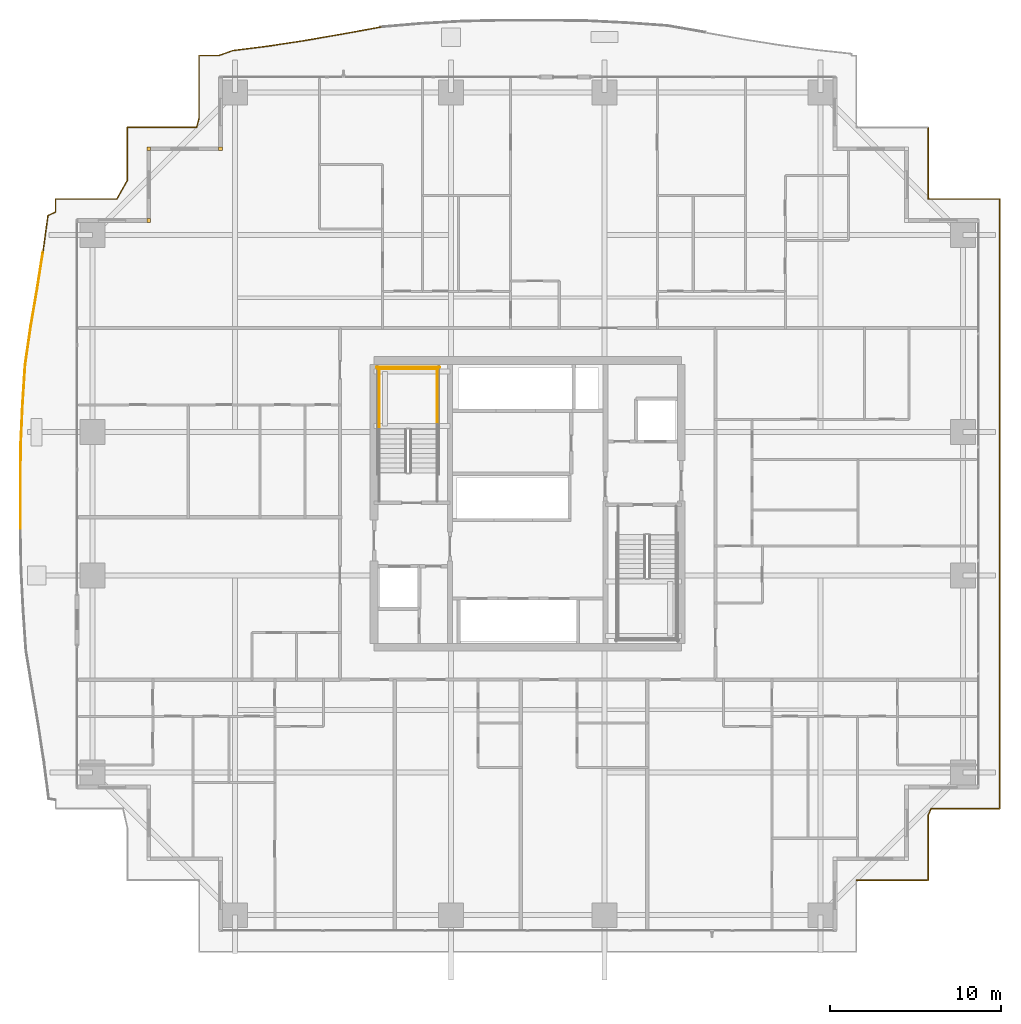
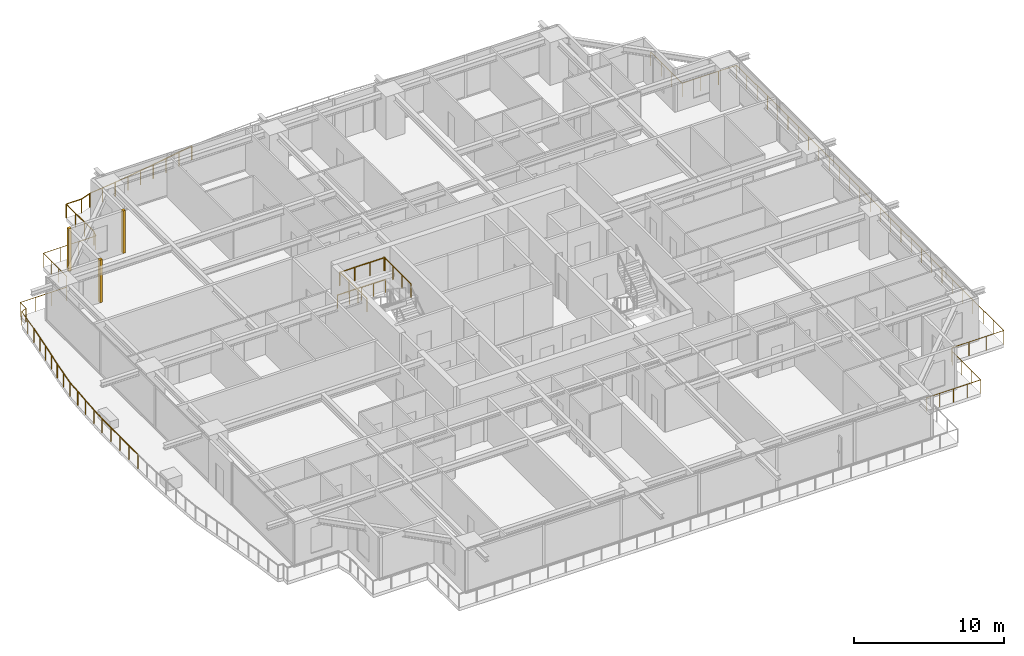
# One storey, part 35 of 36: 8 railings, 3 coverings.
"""IFC4 building model written with IfcOpenShell, lengths in metres."""

from ifc_helpers import new_model, si_unit, direction, frame, origin, origin_2d, place, context, subcontext, project, spatial, rectangle, circle, extrude, source, transform, mapped, material, layer, layer_set, type_object, element, save


model = new_model("IFC4")

# Units and contexts
model_context = context("Model", 3, precision=1e-05, world=origin(), true_north=direction((0.0, 1.0)))
body_context = subcontext(model_context, "Body", "Model", "MODEL_VIEW")
ifc_project = project(units=[si_unit("LENGTHUNIT", "METRE"), si_unit("AREAUNIT", "SQUARE_METRE"), si_unit("VOLUMEUNIT", "CUBIC_METRE"), si_unit("PLANEANGLEUNIT", "RADIAN"), si_unit("MASSUNIT", "GRAM", prefix="KILO")], contexts=[model_context])

# Site, building, storey
site_placement = place(None, origin())
site = spatial("IfcSite", under=ifc_project, at=site_placement, CompositionType="ELEMENT")
building_placement = place(site_placement, origin())
building = spatial("IfcBuilding", under=site, at=building_placement, Name="Serunith Strait Residences", CompositionType="ELEMENT")
storey_placement = place(building_placement, frame((0.0, 0.0, 86.699951171875)))
storey = spatial("IfcBuildingStorey", under=building, at=storey_placement, Name="L21", CompositionType="ELEMENT", Elevation=86.699951171875)

# Railings
ifc_material_1 = material(Name="Stainless Steel & Laminated Glass Balustrade", Category="steel")
railing_type_1 = type_object("IfcRailingType", Name="RLG-BALC-1150", PredefinedType="BALUSTRADE", material=ifc_material_1)
railing_1_placement = place(storey_placement, frame((2.679931640625, 23.763427734375, -0.050048828125)))
element("IfcRailing", 1, at=railing_1_placement, inside=storey, type_object=railing_type_1, Name="L21 Swirling Balcony Perimeter Balustrade 2", PredefinedType="BALUSTRADE", context=body_context, shape_type="SweptSolid", body=[
    extrude(circle(Radius=0.02392578125, at=origin_2d()), frame((0.0, 0.001953125, 1.1259765625), z_axis=(0.0, 1.0, 0.0), x_axis=(-1.0, 0.0, 0.0)), (0.0, 0.0, 1.0), 2.409423828125),
    extrude(circle(Radius=0.02392578125, at=origin_2d()), frame((0.0, 2.415283203125, 1.1259765625), z_axis=(0.00709705334, 0.9999748156, 0.0), x_axis=(-0.9999748156, 0.00709705334, 0.0)), (0.0, 0.0, 1.0), 2.404052734375),
    extrude(circle(Radius=0.02392578125, at=origin_2d()), frame((0.01708984375, 4.8232421875, 1.1259765625), z_axis=(0.045027872788, 0.998985730965, 0.0), x_axis=(-0.998985730965, 0.045027872788, 0.0)), (0.0, 0.0, 1.0), 2.38720703125),
    extrude(circle(Radius=0.02392578125, at=origin_2d()), frame((0.125, 7.2119140625, 1.1259765625), z_axis=(0.064455279188, 0.997920596533, 0.0), x_axis=(-0.997920596533, 0.064455279188, 0.0)), (0.0, 0.0, 1.0), 2.359619140625),
    extrude(circle(Radius=0.02392578125, at=origin_2d()), frame((0.27734375, 9.570556640625, 1.1259765625), z_axis=(0.143416990716, 0.989662349882, 0.0), x_axis=(-0.989662349882, 0.143416990716, 0.0)), (0.0, 0.0, 1.0), 2.290771484375),
    extrude(circle(Radius=0.02392578125, at=origin_2d()), frame((0.6064453125, 11.841552734375, 1.1259765625), z_axis=(0.168678036697, 0.985671202753, 0.0), x_axis=(-0.985671202753, 0.168678036697, 0.0)), (0.0, 0.0, 1.0), 2.224853515625),
    extrude(circle(Radius=0.02392578125, at=origin_2d()), frame((0.982421875, 14.03857421875, 1.1259765625), z_axis=(0.155445338602, 0.987844495205, 0.0), x_axis=(-0.987844495205, 0.155445338602, 0.0)), (0.0, 0.0, 1.0), 2.177490234375),
    extrude(circle(Radius=0.02099609375, at=origin_2d()), origin(), (0.0, 0.0, 1.0), 1.099853515625),
    extrude(circle(Radius=0.02099609375, at=origin_2d()), frame((0.0, 1.20654296875, 0.0)), (0.0, 0.0, 1.0), 1.099853515625),
    extrude(circle(Radius=0.02099609375, at=origin_2d()), frame((0.0, 2.413330078125, 0.0)), (0.0, 0.0, 1.0), 1.099853515625),
    extrude(circle(Radius=0.02099609375, at=origin_2d()), frame((0.008544921875, 3.6171875, 0.0)), (0.0, 0.0, 1.0), 1.099853515625),
    extrude(circle(Radius=0.02099609375, at=origin_2d()), frame((0.01708984375, 4.8212890625, 0.0)), (0.0, 0.0, 1.0), 1.099853515625),
    extrude(circle(Radius=0.02099609375, at=origin_2d()), frame((0.07080078125, 6.015625, 0.0)), (0.0, 0.0, 1.0), 1.099853515625),
    extrude(circle(Radius=0.02099609375, at=origin_2d()), frame((0.124755859375, 7.2099609375, 0.0)), (0.0, 0.0, 1.0), 1.099853515625),
    extrude(circle(Radius=0.02099609375, at=origin_2d()), frame((0.200927734375, 8.38916015625, 0.0)), (0.0, 0.0, 1.0), 1.099853515625),
    extrude(circle(Radius=0.02099609375, at=origin_2d()), frame((0.277099609375, 9.568603515625, 0.0)), (0.0, 0.0, 1.0), 1.099853515625),
    extrude(circle(Radius=0.02099609375, at=origin_2d()), frame((0.441650390625, 10.7041015625, 0.0)), (0.0, 0.0, 1.0), 1.099853515625),
    extrude(circle(Radius=0.02099609375, at=origin_2d()), frame((0.606201171875, 11.839599609375, 0.0)), (0.0, 0.0, 1.0), 1.099853515625),
    extrude(circle(Radius=0.02099609375, at=origin_2d()), frame((0.794189453125, 12.93798828125, 0.0)), (0.0, 0.0, 1.0), 1.099853515625),
    extrude(circle(Radius=0.02099609375, at=origin_2d()), frame((0.982177734375, 14.03662109375, 0.0)), (0.0, 0.0, 1.0), 1.099853515625),
    extrude(circle(Radius=0.02099609375, at=origin_2d()), frame((1.15185546875, 15.1142578125, 0.0)), (0.0, 0.0, 1.0), 1.099853515625),
    extrude(circle(Radius=0.02099609375, at=origin_2d()), frame((1.3212890625, 16.191650390625, 0.0)), (0.0, 0.0, 1.0), 1.099853515625),
])
railing_2_placement = place(storey_placement, frame((4.001220703125, 39.955078125, -0.050048828125)))
element("IfcRailing", 2, at=railing_2_placement, inside=storey, type_object=railing_type_1, Name="L21 Swirling Balcony Perimeter Balustrade 3", PredefinedType="BALUSTRADE", context=body_context, shape_type="SweptSolid", body=[
    extrude(circle(Radius=0.02392578125, at=origin_2d()), frame((0.000244140625, 0.001953125, 1.1259765625), z_axis=(0.134216264508, 0.990952064603, 0.0), x_axis=(-0.990952064603, 0.134216264508, 0.0)), (0.0, 0.0, 1.0), 2.14599609375),
    extrude(circle(Radius=0.02392578125, at=origin_2d()), frame((0.290283203125, 2.13134765625, 1.1259765625), z_axis=(0.909655589929, 0.415363344208, 0.0), x_axis=(-0.415363344208, 0.909655589929, 0.0)), (0.0, 0.0, 1.0), 0.490966796875),
    extrude(circle(Radius=0.02392578125, at=origin_2d()), frame((0.73876953125, 2.338134765625, 1.1259765625), z_axis=(0.0, 1.0, 0.0), x_axis=(-1.0, 0.0, 0.0)), (0.0, 0.0, 1.0), 0.764892578125),
    extrude(circle(Radius=0.02392578125, at=origin_2d()), frame((0.74072265625, 3.10498046875, 1.1259765625), z_axis=(1.0, 0.0, 0.0), x_axis=(0.0, 1.0, 0.0)), (0.0, 0.0, 1.0), 3.583740234375),
    extrude(circle(Radius=0.02392578125, at=origin_2d()), frame((4.327392578125, 3.106689453125, 1.1259765625), z_axis=(0.496309419084, 0.868145702361, 0.0), x_axis=(-0.868145702361, 0.496309419084, 0.0)), (0.0, 0.0, 1.0), 1.229736328125),
    extrude(circle(Radius=0.02392578125, at=origin_2d()), frame((4.938720703125, 4.177978515625, 1.1259765625), z_axis=(0.0, 1.0, 0.0), x_axis=(-1.0, 0.0, 0.0)), (0.0, 0.0, 1.0), 3.125),
    extrude(circle(Radius=0.02392578125, at=origin_2d()), frame((4.940673828125, 7.304931640625, 1.1259765625), z_axis=(1.0, 0.0, 0.0), x_axis=(0.0, 1.0, 0.0)), (0.0, 0.0, 1.0), 4.059814453125),
    extrude(circle(Radius=0.02392578125, at=origin_2d()), frame((9.0029296875, 7.306884765625, 1.1259765625), z_axis=(0.256803215186, 0.966463713064, 0.0), x_axis=(-0.966463713064, 0.256803215186, 0.0)), (0.0, 0.0, 1.0), 0.5263671875),
    extrude(circle(Radius=0.02099609375, at=origin_2d()), origin(), (0.0, 0.0, 1.0), 1.099853515625),
    extrude(circle(Radius=0.02099609375, at=origin_2d()), frame((0.144287109375, 1.0654296875, 0.0)), (0.0, 0.0, 1.0), 1.099853515625),
    extrude(circle(Radius=0.02099609375, at=origin_2d()), frame((0.28857421875, 2.130615234375, 0.0)), (0.0, 0.0, 1.0), 1.099853515625),
    extrude(circle(Radius=0.02099609375, at=origin_2d()), frame((0.73876953125, 2.336181640625, 0.0)), (0.0, 0.0, 1.0), 1.099853515625),
    extrude(circle(Radius=0.02099609375, at=origin_2d()), frame((0.73876953125, 3.10498046875, 0.0)), (0.0, 0.0, 1.0), 1.099853515625),
    extrude(circle(Radius=0.02099609375, at=origin_2d()), frame((1.9345703125, 3.10498046875, 0.0)), (0.0, 0.0, 1.0), 1.099853515625),
    extrude(circle(Radius=0.02099609375, at=origin_2d()), frame((3.130615234375, 3.10498046875, 0.0)), (0.0, 0.0, 1.0), 1.099853515625),
    extrude(circle(Radius=0.02099609375, at=origin_2d()), frame((4.326416015625, 3.10498046875, 0.0)), (0.0, 0.0, 1.0), 1.099853515625),
    extrude(circle(Radius=0.02099609375, at=origin_2d()), frame((4.938720703125, 4.176025390625, 0.0)), (0.0, 0.0, 1.0), 1.099853515625),
    extrude(circle(Radius=0.02099609375, at=origin_2d()), frame((4.938720703125, 5.218994140625, 0.0)), (0.0, 0.0, 1.0), 1.099853515625),
    extrude(circle(Radius=0.02099609375, at=origin_2d()), frame((4.938720703125, 6.261962890625, 0.0)), (0.0, 0.0, 1.0), 1.099853515625),
    extrude(circle(Radius=0.02099609375, at=origin_2d()), frame((4.938720703125, 7.304931640625, 0.0)), (0.0, 0.0, 1.0), 1.099853515625),
    extrude(circle(Radius=0.02099609375, at=origin_2d()), frame((6.293212890625, 7.304931640625, 0.0)), (0.0, 0.0, 1.0), 1.099853515625),
    extrude(circle(Radius=0.02099609375, at=origin_2d()), frame((7.64794921875, 7.304931640625, 0.0)), (0.0, 0.0, 1.0), 1.099853515625),
    extrude(circle(Radius=0.02099609375, at=origin_2d()), frame((9.00244140625, 7.304931640625, 0.0)), (0.0, 0.0, 1.0), 1.099853515625),
    extrude(circle(Radius=0.02099609375, at=origin_2d()), frame((9.138671875, 7.817626953125, 0.0)), (0.0, 0.0, 1.0), 1.099853515625),
])
railing_3_placement = place(storey_placement, frame((13.139892578125, 47.772705078125, -0.050048828125)))
element("IfcRailing", 3, at=railing_3_placement, inside=storey, type_object=railing_type_1, Name="L21 Swirling Balcony Perimeter Balustrade 4", PredefinedType="BALUSTRADE", context=body_context, shape_type="SweptSolid", body=[
    extrude(circle(Radius=0.02392578125, at=origin_2d()), frame((0.0, 0.001953125, 1.1259765625), z_axis=(0.0, 1.0, 0.0), x_axis=(-1.0, 0.0, 0.0)), (0.0, 0.0, 1.0), 3.683349609375),
    extrude(circle(Radius=0.02392578125, at=origin_2d()), frame((0.001953125, 3.687255859375, 1.1259765625), z_axis=(1.0, 0.0, 0.0), x_axis=(0.0, 1.0, 0.0)), (0.0, 0.0, 1.0), 1.158447265625),
    extrude(circle(Radius=0.02392578125, at=origin_2d()), frame((1.164306640625, 3.68798828125, 1.1259765625), z_axis=(0.941684847829, 0.336496132771, 0.0), x_axis=(-0.336496132771, 0.941684847829, 0.0)), (0.0, 0.0, 1.0), 0.867431640625),
    extrude(circle(Radius=0.02392578125, at=origin_2d()), frame((1.98486328125, 3.980712890625, 1.1259765625), z_axis=(0.992092467081, 0.125509110269, 0.0), x_axis=(-0.125509110269, 0.992092467081, 0.0)), (0.0, 0.0, 1.0), 2.1357421875),
    extrude(circle(Radius=0.02392578125, at=origin_2d()), frame((4.107666015625, 4.249267578125, 1.1259765625), z_axis=(0.98850813439, 0.151167682543, 0.0), x_axis=(-0.151167682543, 0.98850813439, 0.0)), (0.0, 0.0, 1.0), 2.161865234375),
    extrude(circle(Radius=0.02392578125, at=origin_2d()), frame((6.24853515625, 4.57666015625, 1.1259765625), z_axis=(0.985223106844, 0.171275887798, 0.0), x_axis=(-0.171275887798, 0.985223106844, 0.0)), (0.0, 0.0, 1.0), 2.205322265625),
    extrude(circle(Radius=0.02392578125, at=origin_2d()), frame((8.42529296875, 4.955078125, 1.1259765625), z_axis=(0.983931803951, 0.178544686769, 0.0), x_axis=(-0.178544686769, 0.983931803951, 0.0)), (0.0, 0.0, 1.0), 2.265869140625),
    extrude(circle(Radius=0.02099609375, at=origin_2d()), origin(), (0.0, 0.0, 1.0), 1.099853515625),
    extrude(circle(Radius=0.02099609375, at=origin_2d()), frame((0.0, 1.22900390625, 0.0)), (0.0, 0.0, 1.0), 1.099853515625),
    extrude(circle(Radius=0.02099609375, at=origin_2d()), frame((0.0, 2.458251953125, 0.0)), (0.0, 0.0, 1.0), 1.099853515625),
    extrude(circle(Radius=0.02099609375, at=origin_2d()), frame((0.0, 3.687255859375, 0.0)), (0.0, 0.0, 1.0), 1.099853515625),
    extrude(circle(Radius=0.02099609375, at=origin_2d()), frame((1.162353515625, 3.687255859375, 0.0)), (0.0, 0.0, 1.0), 1.099853515625),
    extrude(circle(Radius=0.02099609375, at=origin_2d()), frame((1.98291015625, 3.98046875, 0.0)), (0.0, 0.0, 1.0), 1.099853515625),
    extrude(circle(Radius=0.02099609375, at=origin_2d()), frame((3.04443359375, 4.11474609375, 0.0)), (0.0, 0.0, 1.0), 1.099853515625),
    extrude(circle(Radius=0.02099609375, at=origin_2d()), frame((4.105712890625, 4.2490234375, 0.0)), (0.0, 0.0, 1.0), 1.099853515625),
    extrude(circle(Radius=0.02099609375, at=origin_2d()), frame((5.17626953125, 4.41259765625, 0.0)), (0.0, 0.0, 1.0), 1.099853515625),
    extrude(circle(Radius=0.02099609375, at=origin_2d()), frame((6.24658203125, 4.576416015625, 0.0)), (0.0, 0.0, 1.0), 1.099853515625),
    extrude(circle(Radius=0.02099609375, at=origin_2d()), frame((7.3349609375, 4.765625, 0.0)), (0.0, 0.0, 1.0), 1.099853515625),
    extrude(circle(Radius=0.02099609375, at=origin_2d()), frame((8.42333984375, 4.954833984375, 0.0)), (0.0, 0.0, 1.0), 1.099853515625),
    extrude(circle(Radius=0.02099609375, at=origin_2d()), frame((9.5400390625, 5.157470703125, 0.0)), (0.0, 0.0, 1.0), 1.099853515625),
    extrude(circle(Radius=0.02099609375, at=origin_2d()), frame((10.65673828125, 5.360107421875, 0.0)), (0.0, 0.0, 1.0), 1.099853515625),
])
railing_4_placement = place(storey_placement, frame((55.860107421875, 47.260009765625, -0.050048828125)))
element("IfcRailing", 4, at=railing_4_placement, inside=storey, type_object=railing_type_1, Name="L21 Swirling Balcony Perimeter Balustrade 7", PredefinedType="BALUSTRADE", context=body_context, shape_type="SweptSolid", body=[
    extrude(circle(Radius=0.02392578125, at=origin_2d()), frame((0.0, -0.001953125, 1.1259765625), z_axis=(0.0, -1.0, 0.0), x_axis=(1.0, 0.0, 0.0)), (0.0, 0.0, 1.0), 4.196044921875),
    extrude(circle(Radius=0.02392578125, at=origin_2d()), frame((0.001953125, -4.199951171875, 1.1259765625), z_axis=(1.0, 0.0, 0.0), x_axis=(0.0, 1.0, 0.0)), (0.0, 0.0, 1.0), 4.196044921875),
    extrude(circle(Radius=0.02392578125, at=origin_2d()), frame((4.199951171875, -4.201904296875, 1.1259765625), z_axis=(0.0, -1.0, 0.0), x_axis=(1.0, 0.0, 0.0)), (0.0, 0.0, 1.0), 35.716064453125),
    extrude(circle(Radius=0.02392578125, at=origin_2d()), frame((4.197998046875, -39.919921875, 1.1259765625), z_axis=(-1.0, 0.0, 0.0), x_axis=(0.0, -1.0, 0.0)), (0.0, 0.0, 1.0), 4.014892578125),
    extrude(circle(Radius=0.02392578125, at=origin_2d()), frame((0.180419921875, -39.921630859375, 1.1259765625), z_axis=(-0.414518347731, -0.91004095479, 0.0), x_axis=(0.91004095479, -0.414518347731, 0.0)), (0.0, 0.0, 1.0), 0.43310546875),
    extrude(circle(Radius=0.02392578125, at=origin_2d()), frame((0.0, -40.319580078125, 1.1259765625), z_axis=(0.0, -1.0, 0.0), x_axis=(1.0, 0.0, 0.0)), (0.0, 0.0, 1.0), 3.798583984375),
    extrude(circle(Radius=0.02392578125, at=origin_2d()), frame((-0.001953125, -44.1201171875, 1.1259765625), z_axis=(-1.0, 0.0, 0.0), x_axis=(0.0, -1.0, 0.0)), (0.0, 0.0, 1.0), 4.1962890625),
    extrude(circle(Radius=0.02099609375, at=origin_2d()), origin(), (0.0, 0.0, 1.0), 1.099853515625),
    extrude(circle(Radius=0.02099609375, at=origin_2d()), frame((0.0, -1.39990234375, 0.0)), (0.0, 0.0, 1.0), 1.099853515625),
    extrude(circle(Radius=0.02099609375, at=origin_2d()), frame((0.0, -2.800048828125, 0.0)), (0.0, 0.0, 1.0), 1.099853515625),
    extrude(circle(Radius=0.02099609375, at=origin_2d()), frame((0.0, -4.199951171875, 0.0)), (0.0, 0.0, 1.0), 1.099853515625),
    extrude(circle(Radius=0.02099609375, at=origin_2d()), frame((1.39990234375, -4.199951171875, 0.0)), (0.0, 0.0, 1.0), 1.099853515625),
    extrude(circle(Radius=0.02099609375, at=origin_2d()), frame((2.800048828125, -4.199951171875, 0.0)), (0.0, 0.0, 1.0), 1.099853515625),
    extrude(circle(Radius=0.02099609375, at=origin_2d()), frame((4.199951171875, -4.199951171875, 0.0)), (0.0, 0.0, 1.0), 1.099853515625),
    extrude(circle(Radius=0.02099609375, at=origin_2d()), frame((4.199951171875, -5.57373046875, 0.0)), (0.0, 0.0, 1.0), 1.099853515625),
    extrude(circle(Radius=0.02099609375, at=origin_2d()), frame((4.199951171875, -6.94775390625, 0.0)), (0.0, 0.0, 1.0), 1.099853515625),
    extrude(circle(Radius=0.02099609375, at=origin_2d()), frame((4.199951171875, -8.321533203125, 0.0)), (0.0, 0.0, 1.0), 1.099853515625),
    extrude(circle(Radius=0.02099609375, at=origin_2d()), frame((4.199951171875, -9.6953125, 0.0)), (0.0, 0.0, 1.0), 1.099853515625),
    extrude(circle(Radius=0.02099609375, at=origin_2d()), frame((4.199951171875, -11.069091796875, 0.0)), (0.0, 0.0, 1.0), 1.099853515625),
    extrude(circle(Radius=0.02099609375, at=origin_2d()), frame((4.199951171875, -12.443115234375, 0.0)), (0.0, 0.0, 1.0), 1.099853515625),
    extrude(circle(Radius=0.02099609375, at=origin_2d()), frame((4.199951171875, -13.81689453125, 0.0)), (0.0, 0.0, 1.0), 1.099853515625),
    extrude(circle(Radius=0.02099609375, at=origin_2d()), frame((4.199951171875, -15.190673828125, 0.0)), (0.0, 0.0, 1.0), 1.099853515625),
    extrude(circle(Radius=0.02099609375, at=origin_2d()), frame((4.199951171875, -16.564453125, 0.0)), (0.0, 0.0, 1.0), 1.099853515625),
    extrude(circle(Radius=0.02099609375, at=origin_2d()), frame((4.199951171875, -17.9384765625, 0.0)), (0.0, 0.0, 1.0), 1.099853515625),
    extrude(circle(Radius=0.02099609375, at=origin_2d()), frame((4.199951171875, -19.312255859375, 0.0)), (0.0, 0.0, 1.0), 1.099853515625),
    extrude(circle(Radius=0.02099609375, at=origin_2d()), frame((4.199951171875, -20.68603515625, 0.0)), (0.0, 0.0, 1.0), 1.099853515625),
    extrude(circle(Radius=0.02099609375, at=origin_2d()), frame((4.199951171875, -22.06005859375, 0.0)), (0.0, 0.0, 1.0), 1.099853515625),
    extrude(circle(Radius=0.02099609375, at=origin_2d()), frame((4.199951171875, -23.433837890625, 0.0)), (0.0, 0.0, 1.0), 1.099853515625),
    extrude(circle(Radius=0.02099609375, at=origin_2d()), frame((4.199951171875, -24.8076171875, 0.0)), (0.0, 0.0, 1.0), 1.099853515625),
    extrude(circle(Radius=0.02099609375, at=origin_2d()), frame((4.199951171875, -26.181396484375, 0.0)), (0.0, 0.0, 1.0), 1.099853515625),
    extrude(circle(Radius=0.02099609375, at=origin_2d()), frame((4.199951171875, -27.555419921875, 0.0)), (0.0, 0.0, 1.0), 1.099853515625),
    extrude(circle(Radius=0.02099609375, at=origin_2d()), frame((4.199951171875, -28.92919921875, 0.0)), (0.0, 0.0, 1.0), 1.099853515625),
    extrude(circle(Radius=0.02099609375, at=origin_2d()), frame((4.199951171875, -30.302978515625, 0.0)), (0.0, 0.0, 1.0), 1.099853515625),
    extrude(circle(Radius=0.02099609375, at=origin_2d()), frame((4.199951171875, -31.6767578125, 0.0)), (0.0, 0.0, 1.0), 1.099853515625),
    extrude(circle(Radius=0.02099609375, at=origin_2d()), frame((4.199951171875, -33.05078125, 0.0)), (0.0, 0.0, 1.0), 1.099853515625),
    extrude(circle(Radius=0.02099609375, at=origin_2d()), frame((4.199951171875, -34.424560546875, 0.0)), (0.0, 0.0, 1.0), 1.099853515625),
    extrude(circle(Radius=0.02099609375, at=origin_2d()), frame((4.199951171875, -35.79833984375, 0.0)), (0.0, 0.0, 1.0), 1.099853515625),
    extrude(circle(Radius=0.02099609375, at=origin_2d()), frame((4.199951171875, -37.172119140625, 0.0)), (0.0, 0.0, 1.0), 1.099853515625),
    extrude(circle(Radius=0.02099609375, at=origin_2d()), frame((4.199951171875, -38.546142578125, 0.0)), (0.0, 0.0, 1.0), 1.099853515625),
    extrude(circle(Radius=0.02099609375, at=origin_2d()), frame((4.199951171875, -39.919921875, 0.0)), (0.0, 0.0, 1.0), 1.099853515625),
    extrude(circle(Radius=0.02099609375, at=origin_2d()), frame((2.8603515625, -39.919921875, 0.0)), (0.0, 0.0, 1.0), 1.099853515625),
    extrude(circle(Radius=0.02099609375, at=origin_2d()), frame((1.520751953125, -39.919921875, 0.0)), (0.0, 0.0, 1.0), 1.099853515625),
    extrude(circle(Radius=0.02099609375, at=origin_2d()), frame((0.18115234375, -39.919921875, 0.0)), (0.0, 0.0, 1.0), 1.099853515625),
    extrude(circle(Radius=0.02099609375, at=origin_2d()), frame((0.0, -40.317626953125, 0.0)), (0.0, 0.0, 1.0), 1.099853515625),
    extrude(circle(Radius=0.02099609375, at=origin_2d()), frame((0.0, -41.585205078125, 0.0)), (0.0, 0.0, 1.0), 1.099853515625),
    extrude(circle(Radius=0.02099609375, at=origin_2d()), frame((0.0, -42.8525390625, 0.0)), (0.0, 0.0, 1.0), 1.099853515625),
    extrude(circle(Radius=0.02099609375, at=origin_2d()), frame((0.0, -44.1201171875, 0.0)), (0.0, 0.0, 1.0), 1.099853515625),
    extrude(circle(Radius=0.02099609375, at=origin_2d()), frame((-1.050048828125, -44.1201171875, 0.0)), (0.0, 0.0, 1.0), 1.099853515625),
    extrude(circle(Radius=0.02099609375, at=origin_2d()), frame((-2.10009765625, -44.1201171875, 0.0)), (0.0, 0.0, 1.0), 1.099853515625),
    extrude(circle(Radius=0.02099609375, at=origin_2d()), frame((-3.150146484375, -44.1201171875, 0.0)), (0.0, 0.0, 1.0), 1.099853515625),
    extrude(circle(Radius=0.02099609375, at=origin_2d()), frame((-4.2001953125, -44.1201171875, 0.0)), (0.0, 0.0, 1.0), 1.099853515625),
])
ifc_material_2 = material(Name="Brushed stainless steel 316L", Category="steel")
railing_type_2 = type_object("IfcRailingType", Name="RLG-STAIR-GUARD", PredefinedType="BALUSTRADE", material=ifc_material_2)
for number, where, name in (
    (5, (27.10009765625, 29.550048828125, 1.875), "L21 ST-1 stair guard 3"),
    (6, (23.699951171875, 29.550048828125, 1.875), "L21 ST-1 stair guard 4"),
):
    element("IfcRailing", number, at=place(storey_placement, frame(where)), inside=storey, type_object=railing_type_2, Name=name, PredefinedType="BALUSTRADE", context=body_context, shape_type="SweptSolid", body=[
        extrude(circle(Radius=0.02392578125, at=origin_2d()), frame((0.0, 0.001953125, 1.076171875), z_axis=(0.0, 1.0, 0.0), x_axis=(-1.0, 0.0, 0.0)), (0.0, 0.0, 1.0), 3.595947265625),
        extrude(circle(Radius=0.02099609375, at=origin_2d()), origin(), (0.0, 0.0, 1.0), 1.050048828125),
        extrude(circle(Radius=0.02099609375, at=origin_2d()), frame((0.0, 1.199951171875, 0.0)), (0.0, 0.0, 1.0), 1.050048828125),
        extrude(circle(Radius=0.02099609375, at=origin_2d()), frame((0.0, 2.39990234375, 0.0)), (0.0, 0.0, 1.0), 1.050048828125),
        extrude(circle(Radius=0.02099609375, at=origin_2d()), frame((0.0, 3.599853515625, 0.0)), (0.0, 0.0, 1.0), 1.050048828125),
    ])
railing_5_placement = place(storey_placement, frame((27.14990234375, 33.10009765625, 1.875)))
element("IfcRailing", 7, at=railing_5_placement, inside=storey, type_object=railing_type_2, Name="L21 ST-1 stair guard 5", PredefinedType="BALUSTRADE", context=body_context, shape_type="SweptSolid", body=[
    extrude(circle(Radius=0.02392578125, at=origin_2d()), frame((-0.001953125, 0.0, 1.076171875), z_axis=(-1.0, 0.0, 0.0), x_axis=(0.0, -1.0, 0.0)), (0.0, 0.0, 1.0), 3.49609375),
    extrude(circle(Radius=0.02099609375, at=origin_2d()), origin(), (0.0, 0.0, 1.0), 1.050048828125),
    extrude(circle(Radius=0.02099609375, at=origin_2d()), frame((-1.166748046875, 0.0, 0.0)), (0.0, 0.0, 1.0), 1.050048828125),
    extrude(circle(Radius=0.02099609375, at=origin_2d()), frame((-2.333251953125, 0.0, 0.0)), (0.0, 0.0, 1.0), 1.050048828125),
    extrude(circle(Radius=0.02099609375, at=origin_2d()), frame((-3.5, 0.0, 0.0)), (0.0, 0.0, 1.0), 1.050048828125),
])
railing_6_placement = place(storey_placement, frame((27.25, 33.199951171875, 0.0)))
element("IfcRailing", 8, at=railing_6_placement, inside=storey, type_object=railing_type_2, Name="L21 ST-1 stair guard 12", PredefinedType="BALUSTRADE", context=body_context, shape_type="SweptSolid", body=[
    extrude(circle(Radius=0.02392578125, at=origin_2d()), frame((-0.001953125, 0.0, 1.076171875), z_axis=(-1.0, 0.0, 0.0), x_axis=(0.0, -1.0, 0.0)), (0.0, 0.0, 1.0), 3.696044921875),
    extrude(circle(Radius=0.02099609375, at=origin_2d()), origin(), (0.0, 0.0, 1.0), 1.050048828125),
    extrude(circle(Radius=0.02099609375, at=origin_2d()), frame((-0.925048828125, 0.0, 0.0)), (0.0, 0.0, 1.0), 1.050048828125),
    extrude(circle(Radius=0.02099609375, at=origin_2d()), frame((-1.85009765625, 0.0, 0.0)), (0.0, 0.0, 1.0), 1.050048828125),
    extrude(circle(Radius=0.02099609375, at=origin_2d()), frame((-2.77490234375, 0.0, 0.0)), (0.0, 0.0, 1.0), 1.050048828125),
    extrude(circle(Radius=0.02099609375, at=origin_2d()), frame((-3.699951171875, 0.0, 0.0)), (0.0, 0.0, 1.0), 1.050048828125),
])

# Coverings
ifc_material_3 = material(Name="Pale-Champagne Anodised Aluminium", Category="aluminium")
ifc_layer = layer(ifc_material_3, 0.219970703125, Name="Pale-Champagne Anodised Aluminium")
ifc_layer_set = layer_set([ifc_layer], Name="Pale-Champagne Anodised Aluminium")
covering_type = type_object("IfcCoveringType", Name="COV-CORN-TRIM", PredefinedType="CLADDING", material=ifc_layer_set)
shared_shape = source(origin(), body_context, "Body", "SweptSolid", [
    extrude(rectangle(XDim=0.221923828125, YDim=0.221923828125, at=origin_2d()), origin(), (0.0, 0.0, 1.0), 3.47509765625),
])
for number, where, z_axis, x_axis, name in (
    (9, (14.39990234375, 46.0, 0.0), (0.0, 0.0, 1.0), (1.0, 0.0, 0.0), "L21 Girih Serrated Corner Trim Post 12"),
    (10, (10.199951171875, 46.0, 0.0), (0.0, 0.0, 1.0), (1.0, 0.0, 0.0), "L21 Girih Serrated Corner Trim Post 13"),
    (11, (10.199951171875, 41.800048828125, 0.0), (0.0, 0.0, 1.0), (1.0, 0.0, 0.0), "L21 Girih Serrated Corner Trim Post 14"),
):
    element("IfcCovering", number, at=place(storey_placement, frame(where, z_axis=z_axis, x_axis=x_axis)), inside=storey, type_object=covering_type, Name=name, PredefinedType="CLADDING", context=body_context, shape_type="MappedRepresentation", body=[
        mapped(shared_shape, transform((0.0, 0.0, 0.0), scale=1.0)),
    ])

save(model, "model.ifc")
